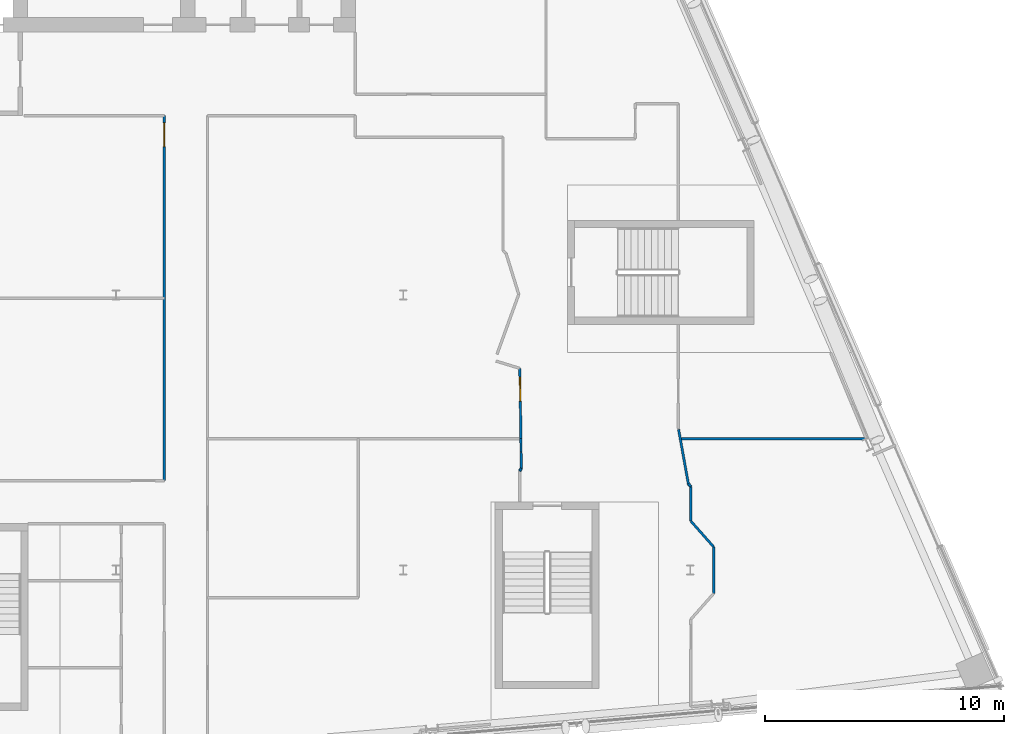
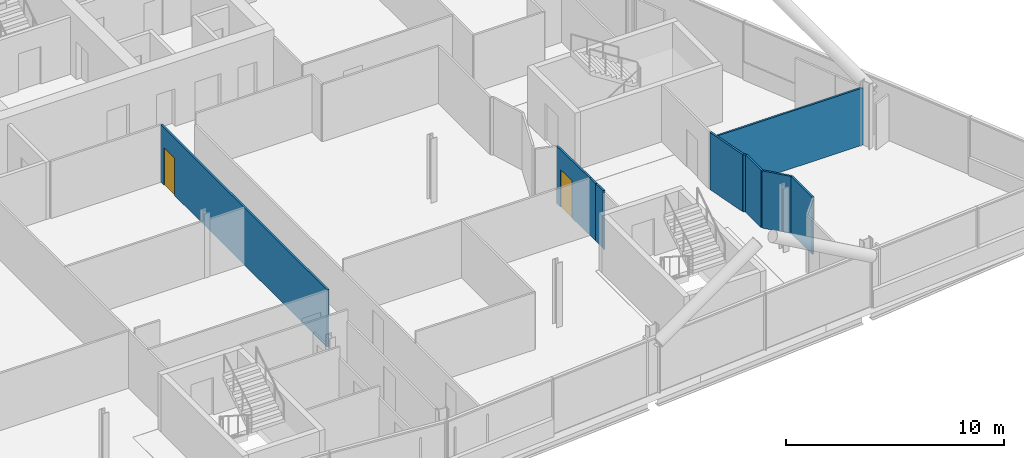
# One storey, part 17 of 28: 11 walls, 2 doors, 2 openings.
"""IFC4 building model written with IfcOpenShell, lengths in metres."""

from ifc_helpers import new_model, si_unit, direction, frame, frame_2d, origin, place, context, subcontext, project, spatial, rectangle, extrude, material, layer, layer_set, type_object, element, fill, save


model = new_model("IFC4")

# Units and contexts
model_context = context("Model", 3, precision=1e-05, world=origin(), true_north=direction((0.0, 1.0)))
body_context = subcontext(model_context, "Body", "Model", "MODEL_VIEW")
ifc_project = project(units=[si_unit("LENGTHUNIT", "METRE"), si_unit("AREAUNIT", "SQUARE_METRE"), si_unit("VOLUMEUNIT", "CUBIC_METRE"), si_unit("PLANEANGLEUNIT", "RADIAN"), si_unit("MASSUNIT", "GRAM", prefix="KILO")], contexts=[model_context])

# Site, building, storey
site_placement = place(None, origin())
site = spatial("IfcSite", under=ifc_project, at=site_placement, CompositionType="ELEMENT")
building_placement = place(site_placement, origin())
building = spatial("IfcBuilding", under=site, at=building_placement, Name="Wharfspan Tower", CompositionType="ELEMENT")
storey_placement = place(building_placement, frame((0.0, 0.0, 250.300049)))
storey = spatial("IfcBuildingStorey", under=building, at=storey_placement, Name="L63", CompositionType="ELEMENT", Elevation=250.300049)

# Wall, opening, door
ifc_material_1 = material(Name="Gypsum board on steel studs", Category="steel")
ifc_layer = layer(ifc_material_1, 0.100098)
ifc_layer_set = layer_set([ifc_layer], Name="Gypsum board on steel studs")
wall_type = type_object("IfcWallType", Name="Compartment wall 100 EI 60", PredefinedType="PARTITIONING", material=ifc_layer_set)
wall_1_placement = place(storey_placement, frame((50.02002, 15.245117, 0.0), z_axis=(0.0, 0.0, 1.0), x_axis=(0.0, 1.0, 0.0)))
wall_1 = element("IfcWall", 1, at=wall_1_placement, inside=storey, type_object=wall_type, Name="Partition L63.w028", PredefinedType="PARTITIONING", context=body_context, shape_type="SweptSolid", body=[
    extrude(rectangle(XDim=15.254883, YDim=0.100098, at=frame_2d((7.627441, 0.0))), origin(), (0.0, 0.0, 1.0), 3.199951),
])
opening_1_placement = place(wall_1_placement, frame((13.955078, 0.0, 0.0)))
opening_1 = element("IfcOpeningElement", 2, at=opening_1_placement, cuts=wall_1, Name="Opening D6-16", PredefinedType="OPENING", context=body_context, shape_type="SweptSolid", body=[
    extrude(rectangle(XDim=1.0, YDim=2.100098, at=frame_2d((0.5, 1.050049))), frame((0.0, 0.060059, 0.0), z_axis=(0.0, -1.0, 0.0), x_axis=(1.0, 0.0, 0.0)), (0.0, 0.0, 1.0), 0.120117),
])
ifc_material_2 = material(Name="Fire-rated timber door leaf in steel frame", Category="steel")
door_type = type_object("IfcDoorType", Name="Door 1000 FD30S Right", OperationType="SINGLE_SWING_RIGHT", PredefinedType="DOOR", material=ifc_material_2)
door_1_placement = place(opening_1_placement, origin())
door_1 = element("IfcDoor", 3, at=door_1_placement, inside=storey, type_object=door_type, Name="Door D6-16", OperationType="SINGLE_SWING_RIGHT", OverallHeight=2.100098, OverallWidth=1.0, PredefinedType="DOOR", context=body_context, shape_type="SweptSolid", body=[
    extrude(rectangle(XDim=1.0, YDim=2.100098, at=frame_2d((0.5, 1.050049))), frame((0.0, 0.024902, 0.0), z_axis=(0.0, -1.0, 0.0), x_axis=(1.0, 0.0, 0.0)), (0.0, 0.0, 1.0), 0.050049),
])
fill(opening_1, door_1)

# Wall
wall_2_placement = place(storey_placement, frame((64.870117, 15.64502, 0.0), z_axis=(0.0, 0.0, 1.0), x_axis=(0.491751, 0.870732, 0.0)))
element("IfcWall", 4, at=wall_2_placement, inside=storey, type_object=wall_type, Name="Partition L63.w045", PredefinedType="PARTITIONING", context=body_context, shape_type="SweptSolid", body=[
    extrude(rectangle(XDim=0.13208, YDim=0.100098, at=frame_2d((0.065918, 0.0))), origin(), (0.0, 0.0, 1.0), 3.199951),
])

# Wall, opening, door
wall_3_placement = place(storey_placement, frame((64.919922, 17.0, 0.0), z_axis=(0.0, 0.0, 1.0), x_axis=(-0.015303, 0.999879, 0.0)))
wall_3 = element("IfcWall", 5, at=wall_3_placement, inside=storey, type_object=wall_type, Name="Partition L63.w047", PredefinedType="PARTITIONING", context=body_context, shape_type="SweptSolid", body=[
    extrude(rectangle(XDim=2.935303, YDim=0.100098, at=frame_2d((1.467773, 0.0))), origin(), (0.0, 0.0, 1.0), 3.199951),
])
opening_2_placement = place(wall_3_placement, frame((1.563965, 0.0, 0.0)))
opening_2 = element("IfcOpeningElement", 6, at=opening_2_placement, cuts=wall_3, Name="Opening D6-12", PredefinedType="OPENING", context=body_context, shape_type="SweptSolid", body=[
    extrude(rectangle(XDim=1.0, YDim=2.100098, at=frame_2d((0.5, 1.050049))), frame((0.0, 0.060059, 0.0), z_axis=(0.0, -1.0, 0.0), x_axis=(1.0, 0.0, 0.0)), (0.0, 0.0, 1.0), 0.120117),
])
door_2_placement = place(opening_2_placement, origin())
door_2 = element("IfcDoor", 7, at=door_2_placement, inside=storey, type_object=door_type, Name="Door D6-12", OperationType="SINGLE_SWING_RIGHT", OverallHeight=2.100098, OverallWidth=1.0, PredefinedType="DOOR", context=body_context, shape_type="SweptSolid", body=[
    extrude(rectangle(XDim=1.0, YDim=2.100098, at=frame_2d((0.5, 1.050049))), frame((0.0, 0.024902, 0.0), z_axis=(0.0, -1.0, 0.0), x_axis=(1.0, 0.0, 0.0)), (0.0, 0.0, 1.0), 0.050049),
])
fill(opening_2, door_2)

# Walls
wall_4_placement = place(storey_placement, frame((64.925049, 16.429932, 0.0), z_axis=(0.0, 0.0, 1.0), x_axis=(-0.009071, 0.999963, 0.0)))
element("IfcWall", 8, at=wall_4_placement, inside=storey, type_object=wall_type, Name="Partition L63.w048", PredefinedType="PARTITIONING", context=body_context, shape_type="SweptSolid", body=[
    extrude(rectangle(XDim=0.565186, YDim=0.100098, at=frame_2d((0.282715, 0.0))), origin(), (0.0, 0.0, 1.0), 3.199951),
])
wall_5_placement = place(storey_placement, frame((64.935059, 15.76001, 0.0), z_axis=(0.0, 0.0, 1.0), x_axis=(-0.01494, 0.999887, 0.0)))
element("IfcWall", 9, at=wall_5_placement, inside=storey, type_object=wall_type, Name="Partition L63.w049", PredefinedType="PARTITIONING", context=body_context, shape_type="SweptSolid", body=[
    extrude(rectangle(XDim=0.669922, YDim=0.100098, at=frame_2d((0.334961, 0.0))), origin(), (0.0, 0.0, 1.0), 3.199951),
])
wall_6_placement = place(storey_placement, frame((71.580078, 16.995117, 0.0), z_axis=(0.0, 0.0, 1.0), x_axis=(1.0, 0.0, 0.0)))
element("IfcWall", 10, at=wall_6_placement, inside=storey, type_object=wall_type, Name="Partition L63.w056", PredefinedType="PARTITIONING", context=body_context, shape_type="SweptSolid", body=[
    extrude(rectangle(XDim=7.764893, YDim=0.100098, at=frame_2d((3.882324, 0.0))), origin(), (0.0, 0.0, 1.0), 3.199951),
])
wall_7_placement = place(storey_placement, frame((71.919922, 15.100098, 0.0), z_axis=(0.0, 0.0, 1.0), x_axis=(-0.176581, 0.984289, 0.0)))
element("IfcWall", 11, at=wall_7_placement, inside=storey, type_object=wall_type, Name="Partition L63.w057", PredefinedType="PARTITIONING", context=body_context, shape_type="SweptSolid", body=[
    extrude(rectangle(XDim=2.321289, YDim=0.100098, at=frame_2d((1.160645, 0.0))), origin(), (0.0, 0.0, 1.0), 3.199951),
])
wall_8_placement = place(storey_placement, frame((72.024902, 13.550049, 0.0), z_axis=(0.0, 0.0, 1.0), x_axis=(0.0, 1.0, 0.0)))
element("IfcWall", 12, at=wall_8_placement, inside=storey, type_object=wall_type, Name="Partition L63.w059", PredefinedType="PARTITIONING", context=body_context, shape_type="SweptSolid", body=[
    extrude(rectangle(XDim=1.449951, YDim=0.100098, at=frame_2d((0.725098, 0.0))), origin(), (0.0, 0.0, 1.0), 3.199951),
])
wall_9_placement = place(storey_placement, frame((72.024902, 15.0, 0.0), z_axis=(0.0, 0.0, 1.0), x_axis=(-0.723734, 0.690072, 0.0)))
element("IfcWall", 13, at=wall_9_placement, inside=storey, type_object=wall_type, Name="Partition L63.w060", PredefinedType="PARTITIONING", context=body_context, shape_type="SweptSolid", body=[
    extrude(rectangle(XDim=0.14502, YDim=0.100098, at=frame_2d((0.07251, 0.0))), origin(), (0.0, 0.0, 1.0), 3.199951),
])
wall_10_placement = place(storey_placement, frame((72.975098, 10.524902, 0.0), z_axis=(0.0, 0.0, 1.0), x_axis=(0.0, 1.0, 0.0)))
element("IfcWall", 14, at=wall_10_placement, inside=storey, type_object=wall_type, Name="Partition L63.w063", PredefinedType="PARTITIONING", context=body_context, shape_type="SweptSolid", body=[
    extrude(rectangle(XDim=1.950195, YDim=0.100098, at=frame_2d((0.975098, 0.0))), origin(), (0.0, 0.0, 1.0), 3.199951),
])
wall_11_placement = place(storey_placement, frame((72.975098, 12.475098, 0.0), z_axis=(0.0, 0.0, 1.0), x_axis=(-0.662295, 0.749251, 0.0)))
element("IfcWall", 15, at=wall_11_placement, inside=storey, type_object=wall_type, Name="Partition L63.w064", PredefinedType="PARTITIONING", context=body_context, shape_type="SweptSolid", body=[
    extrude(rectangle(XDim=1.434814, YDim=0.100098, at=frame_2d((0.717285, 0.0))), origin(), (0.0, 0.0, 1.0), 3.199951),
])

save(model, "model.ifc")
